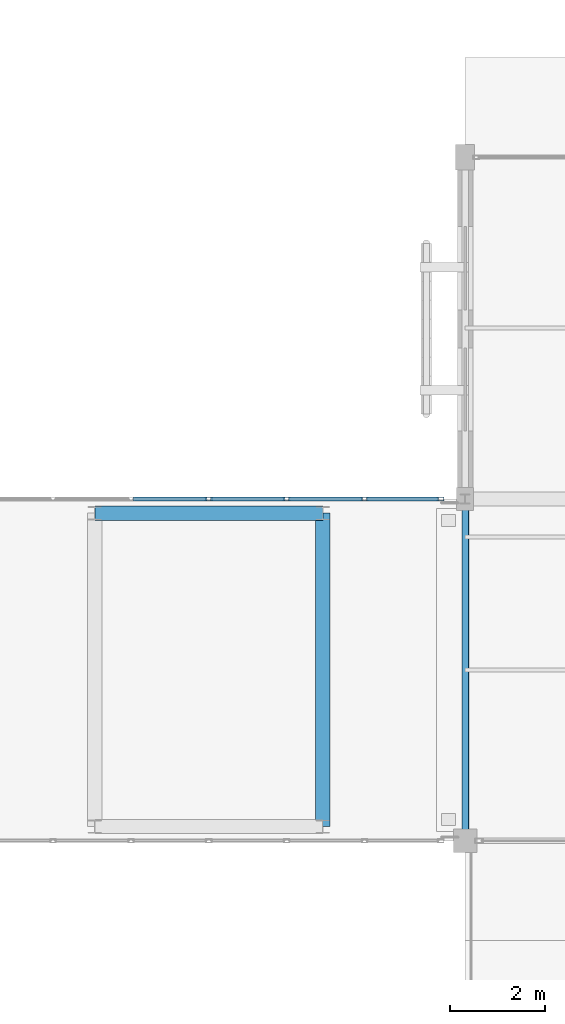
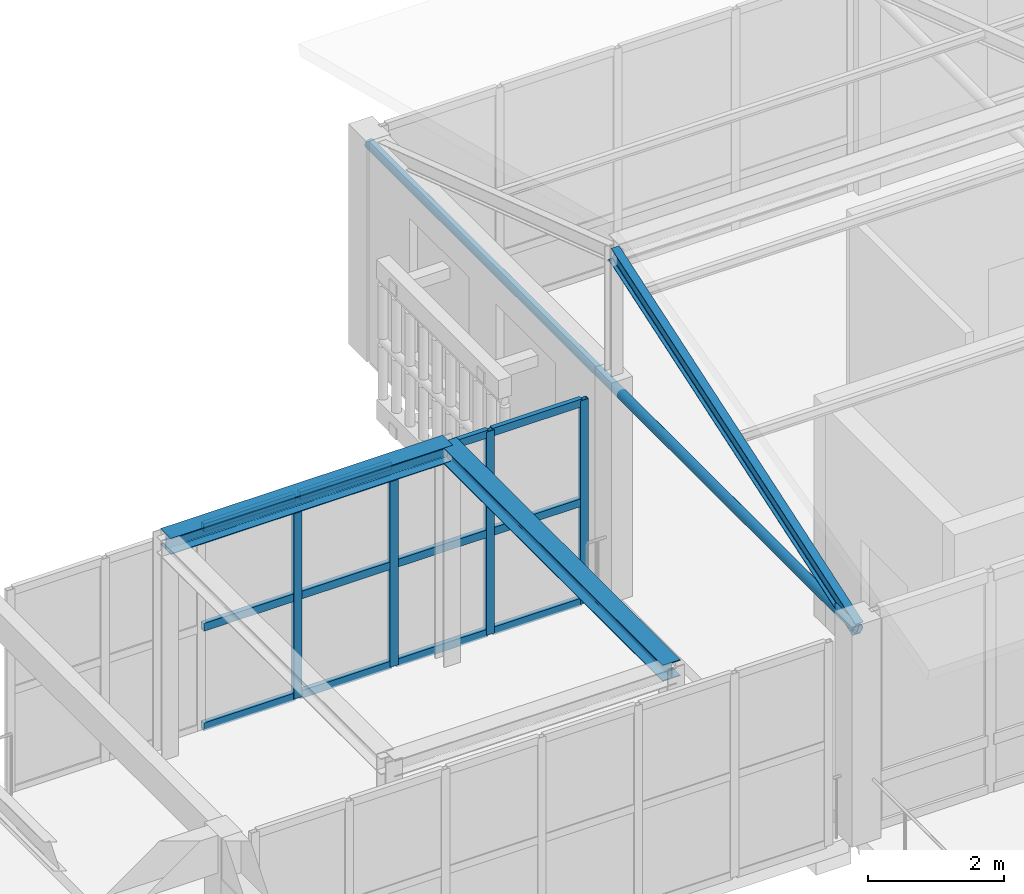
# One storey, part 22 of 112: 18 members, 2 beams, 1 element without a shape of its own.
"""IFC4 building model written with IfcOpenShell, lengths in metres."""

import ifcopenshell
import ifcopenshell.guid

model = None  # the IFC model being written
_history = None  # IfcOwnerHistory: only IFC2X3 demands one
_inside = {}  # id of a spatial element -> (the spatial element, [elements in it])
_under = {}  # id of a project, library or spatial element -> (it, [spatial elements below it])
_declared = {}  # id of a project -> (the project, [libraries it declares])
_typed = {}  # id of a type object -> (the type object, [elements of that type])
_made_of = {}  # id of a material, layer set ... -> (it, [elements and type objects made of it])


def new_model(schema):
    """Start an empty IFC model of exactly this schema.

    Asked for "IFC4X3", IfcOpenShell would pick the latest addendum, in which some entities
    have other attributes; the version numbers below select the first issue.
    IFC2X3 requires an IfcOwnerHistory on every rooted entity: one is made here for all.
    """
    global model, _history
    if schema == "IFC4X3":
        model = ifcopenshell.file(schema_version=(4, 3, 0, 0))
    else:
        model = ifcopenshell.file(schema=schema)
    _inside.clear()
    _under.clear()
    _declared.clear()
    _typed.clear()
    _made_of.clear()
    _history = None
    if model.schema == "IFC2X3":
        org = make("IfcOrganization", Name="unknown")
        user = make(
            "IfcPersonAndOrganization",
            ThePerson=make("IfcPerson", FamilyName="unknown"),
            TheOrganization=org,
        )
        app = make(
            "IfcApplication",
            ApplicationDeveloper=org,
            Version="unknown",
            ApplicationFullName="unknown",
            ApplicationIdentifier="unknown",
        )
        _history = make(
            "IfcOwnerHistory",
            OwningUser=user,
            OwningApplication=app,
            ChangeAction="ADDED",
            CreationDate=0,
        )
    return model


def make(cls, **values):
    """One entity of the class cls with the attributes given. An attribute that is None is left unset."""
    return model.create_entity(
        cls, **{name: value for name, value in values.items() if value is not None}
    )


def rooted(cls, **values):
    """An entity with a GlobalId (a new one), such as an element, a storey or a relation."""
    return make(cls, GlobalId=ifcopenshell.guid.new(), OwnerHistory=_history, **values)


def si_unit(unit_type, name, prefix=None):
    """IfcSIUnit, for example si_unit("LENGTHUNIT", "METRE", prefix="MILLI")."""
    return make("IfcSIUnit", UnitType=unit_type, Prefix=prefix, Name=name)


def assignment(units):
    """IfcUnitAssignment: the units of a project."""
    return None if units is None else make("IfcUnitAssignment", Units=units)


def point(xyz):
    """IfcCartesianPoint."""
    return None if xyz is None else make("IfcCartesianPoint", Coordinates=xyz)


def direction(xyz):
    """IfcDirection."""
    return None if xyz is None else make("IfcDirection", DirectionRatios=xyz)


def frame(location, z_axis=None, x_axis=None):
    """IfcAxis2Placement3D, a coordinate frame: its origin and axes. An axis left out is left unset."""
    return make(
        "IfcAxis2Placement3D",
        Location=point(location),
        Axis=direction(z_axis),
        RefDirection=direction(x_axis),
    )


def frame_2d(location, x_axis=None):
    """IfcAxis2Placement2D, a coordinate frame in the plane: its origin and x axis."""
    return make(
        "IfcAxis2Placement2D", Location=point(location), RefDirection=direction(x_axis)
    )


def origin():
    """The frame at (0, 0, 0) with its axes left unset."""
    return frame((0.0, 0.0, 0.0))


def origin_2d():
    """The frame at (0, 0) in the plane with its x axis left unset."""
    return frame_2d((0.0, 0.0))


def place(relative_to, where):
    """IfcLocalPlacement: puts the frame where relative to a parent placement (None: the world)."""
    return make(
        "IfcLocalPlacement", PlacementRelTo=relative_to, RelativePlacement=where
    )


def context(
    kind, dimensions, precision=None, world=None, true_north=None, identifier=None
):
    """IfcGeometricRepresentationContext, for example the 3D "Model" context."""
    return make(
        "IfcGeometricRepresentationContext",
        ContextIdentifier=identifier,
        ContextType=kind,
        CoordinateSpaceDimension=dimensions,
        Precision=precision,
        WorldCoordinateSystem=world,
        TrueNorth=true_north,
    )


def subcontext(parent, identifier, kind, view, scale=None):
    """IfcGeometricRepresentationSubContext, for example "Body" below "Model"."""
    return make(
        "IfcGeometricRepresentationSubContext",
        ContextIdentifier=identifier,
        ContextType=kind,
        ParentContext=parent,
        TargetScale=scale,
        TargetView=view,
    )


def project(units=None, contexts=None):
    """IfcProject with its units and contexts."""
    return rooted(
        "IfcProject",
        Name="project",
        RepresentationContexts=contexts,
        UnitsInContext=assignment(units),
    )


def spatial(cls, under=None, at=None, **own):
    """A site, building, storey or space (cls), placed at a placement, below another one or the project."""
    s = rooted(cls, ObjectPlacement=at, **own)
    if under is not None:
        _under.setdefault(under.id(), (under, []))[1].append(s)
    return s


def profile(cls, at=None, kind="AREA", **sizes):
    """A parametric profile (cls). Its sizes go by their IFC names, for example OverallWidth=200.0."""
    return make(cls, ProfileType=kind, Position=at, **sizes)


def hollow_rectangle(**sizes):
    """IfcRectangleHollowProfileDef."""
    return profile("IfcRectangleHollowProfileDef", **sizes)


def hollow_circle(**sizes):
    """IfcCircleHollowProfileDef."""
    return profile("IfcCircleHollowProfileDef", **sizes)


def i_section(**sizes):
    """IfcIShapeProfileDef."""
    return profile("IfcIShapeProfileDef", **sizes)


def extrude(swept, where, along, depth):
    """IfcExtrudedAreaSolid: the profile swept, set in the frame where, extruded along a direction by depth."""
    return make(
        "IfcExtrudedAreaSolid",
        SweptArea=swept,
        Position=where,
        ExtrudedDirection=direction(along),
        Depth=depth,
    )


def shape(context_of_items, identifier, shape_type, items):
    """IfcShapeRepresentation: the items that make up one representation, for example the "Body"."""
    return make(
        "IfcShapeRepresentation",
        ContextOfItems=context_of_items,
        RepresentationIdentifier=identifier,
        RepresentationType=shape_type,
        Items=items,
    )


def material(Name=None, Category=None):
    """IfcMaterial."""
    return make("IfcMaterial", Name=Name, Category=Category)


def layer(
    of_material, thickness, ventilated=None, Name=None, Category=None, Priority=None
):
    """IfcMaterialLayer: one layer of a wall or slab, of a material (None: an air gap)."""
    return make(
        "IfcMaterialLayer",
        Material=of_material,
        LayerThickness=thickness,
        IsVentilated=ventilated,
        Name=Name,
        Category=Category,
        Priority=Priority,
    )


def layer_set(layers, Name=None):
    """IfcMaterialLayerSet."""
    return make("IfcMaterialLayerSet", MaterialLayers=layers, LayerSetName=Name)


def material_profile(
    of_material, cross_section, Name=None, Category=None, Priority=None
):
    """IfcMaterialProfile: a cross section and its material."""
    return make(
        "IfcMaterialProfile",
        Name=Name,
        Material=of_material,
        Profile=cross_section,
        Priority=Priority,
        Category=Category,
    )


def profile_set(profiles, Name=None, composite=None):
    """IfcMaterialProfileSet."""
    return make(
        "IfcMaterialProfileSet",
        Name=Name,
        MaterialProfiles=profiles,
        CompositeProfile=composite,
    )


def made_of(thing, what):
    """Note that an element or type object is made of a material, layer set ...; save() writes the relation."""
    if what is not None:
        _made_of.setdefault(what.id(), (what, []))[1].append(thing)
    return thing


def type_object(cls, material=None, **own):
    """A type object (cls), such as IfcWallType, which elements share."""
    return made_of(rooted(cls, **own), material)


def element(
    cls,
    number,
    at=None,
    inside=None,
    cuts=None,
    type_object=None,
    material=None,
    context=None,
    identifier="Body",
    shape_type=None,
    held_by="IfcProductDefinitionShape",
    body=None,
    shapes=None,
    **own,
):
    """One element of the class cls, such as IfcWall. Its Tag is "e" and its number.

    at: its placement. inside: the storey or other place that contains it. cuts: it is an
    opening in that element (IfcRelVoidsElement). A single representation is given by context,
    identifier, shape_type and body (its items); several are given by shapes. held_by: the class
    of the entity that holds the representations. save() writes the other relations.
    """
    e = rooted(cls, Tag="e%d" % number, ObjectPlacement=at, **own)
    if body is not None:
        shapes = [shape(context, identifier, shape_type, body)]
    if shapes is not None:
        e.Representation = make(held_by, Representations=shapes)
    if inside is not None:
        _inside.setdefault(inside.id(), (inside, []))[1].append(e)
    if cuts is not None:
        rooted(
            "IfcRelVoidsElement", RelatingBuildingElement=cuts, RelatedOpeningElement=e
        )
    if type_object is not None:
        _typed.setdefault(type_object.id(), (type_object, []))[1].append(e)
    return made_of(e, material)


def aggregate(whole, parts):
    """IfcRelAggregates: a whole, such as a stair, and the parts it consists of."""
    return rooted("IfcRelAggregates", RelatingObject=whole, RelatedObjects=parts)


def save(model, path):
    """Write the relations noted so far, then the file.

    IfcRelAggregates (storeys below a building ...), IfcRelContainedInSpatialStructure (elements
    in a storey), IfcRelDefinesByType, IfcRelAssociatesMaterial and IfcRelDeclares: one each for
    every whole, place, type object, material and project.
    """
    for whole, parts in _under.values():
        aggregate(whole, parts)
    for where, things in _inside.values():
        rooted(
            "IfcRelContainedInSpatialStructure",
            RelatedElements=things,
            RelatingStructure=where,
        )
    for kind, things in _typed.values():
        rooted("IfcRelDefinesByType", RelatedObjects=things, RelatingType=kind)
    for what, things in _made_of.values():
        rooted("IfcRelAssociatesMaterial", RelatedObjects=things, RelatingMaterial=what)
    for by, libraries in _declared.values():
        rooted("IfcRelDeclares", RelatingContext=by, RelatedDefinitions=libraries)
    model.write(path)


model = new_model("IFC4")

# Units and contexts
model_context = context("Model", 3, precision=1e-05, world=origin(), true_north=direction((0.0, 1.0)))
body_context = subcontext(model_context, "Body", "Model", "MODEL_VIEW")
ifc_project = project(units=[si_unit("LENGTHUNIT", "METRE"), si_unit("AREAUNIT", "SQUARE_METRE"), si_unit("VOLUMEUNIT", "CUBIC_METRE"), si_unit("PLANEANGLEUNIT", "RADIAN"), si_unit("MASSUNIT", "GRAM", prefix="KILO")], contexts=[model_context])

# Site, building, storey
site_placement = place(None, origin())
site = spatial("IfcSite", under=ifc_project, at=site_placement, CompositionType="ELEMENT")
building_placement = place(site_placement, origin())
building = spatial("IfcBuilding", under=site, at=building_placement, Name="Mazaris Harbour Polytechnic", CompositionType="ELEMENT")
storey_placement = place(building_placement, frame((0.0, 0.0, 13.800048828125)))
storey = spatial("IfcBuildingStorey", under=building, at=storey_placement, Name="L03", CompositionType="ELEMENT", Elevation=13.800048828125)

# Curtain wall, members
ifc_material_1 = material(Name="Anodised Bronze Aluminium and Low-E Glass", Category="aluminium")
ifc_layer = layer(ifc_material_1, 0.139892578125, Name="Anodised Bronze Aluminium and Low-E Glass")
ifc_layer_set = layer_set([ifc_layer], Name="Anodised Bronze Aluminium and Low-E Glass")
curtain_wall_type = type_object("IfcCurtainWallType", Name="Seismic Link Bridge Glazing", PredefinedType="NOTDEFINED", material=ifc_layer_set)
curtain_wall_placement = place(storey_placement, origin())
curtain_wall = element("IfcCurtainWall", 1, at=curtain_wall_placement, inside=storey, type_object=curtain_wall_type, Name="PB-W1 L03 Bridge Glazing", PredefinedType="NOTDEFINED")
ifc_material_2 = material(Name="Anodised Bronze Steel S355", Category="steel")
ifc_material_profile_1 = material_profile(ifc_material_2, hollow_rectangle(XDim=0.080078125, YDim=0.139892578125, WallThickness=0.00634765625, at=origin_2d()), Name="RHS 80x140x6.3")
ifc_profile_set_1 = profile_set([ifc_material_profile_1], Name="Anodised Bronze Steel S355")
member_type_1 = type_object("IfcMemberType", Name="Curtain Mullion RHS80x140", PredefinedType="MULLION", material=ifc_profile_set_1)
member_1_placement = place(storey_placement, frame((53.47998046875, 28.800048828125, 0.0), z_axis=(0.0, 0.0, 1.0), x_axis=(0.0, -1.0, 0.0)))
member_1 = element("IfcMember", 2, at=member_1_placement, type_object=member_type_1, Name="CW-05 mullion 1", PredefinedType="MULLION", context=body_context, shape_type="SweptSolid", body=[
    extrude(hollow_rectangle(XDim=0.080078125, YDim=0.139892578125, WallThickness=0.00634765625, at=origin_2d()), origin(), (0.0, 0.0, 1.0), 3.659912109375),
])
member_2_placement = place(storey_placement, frame((51.8798828125, 28.800048828125, 0.0), z_axis=(0.0, 0.0, 1.0), x_axis=(0.0, -1.0, 0.0)))
member_2 = element("IfcMember", 3, at=member_2_placement, type_object=member_type_1, Name="CW-05 mullion 2", PredefinedType="MULLION", context=body_context, shape_type="SweptSolid", body=[
    extrude(hollow_rectangle(XDim=0.080078125, YDim=0.139892578125, WallThickness=0.00634765625, at=origin_2d()), origin(), (0.0, 0.0, 1.0), 3.659912109375),
])
member_3_placement = place(storey_placement, frame((50.239990234375, 28.800048828125, 0.0), z_axis=(0.0, 0.0, 1.0), x_axis=(0.0, -1.0, 0.0)))
member_3 = element("IfcMember", 4, at=member_3_placement, type_object=member_type_1, Name="CW-05 mullion 3", PredefinedType="MULLION", context=body_context, shape_type="SweptSolid", body=[
    extrude(hollow_rectangle(XDim=0.080078125, YDim=0.139892578125, WallThickness=0.00634765625, at=origin_2d()), origin(), (0.0, 0.0, 1.0), 3.659912109375),
])
member_4_placement = place(storey_placement, frame((48.60009765625, 28.800048828125, 0.0), z_axis=(0.0, 0.0, 1.0), x_axis=(0.0, -1.0, 0.0)))
member_4 = element("IfcMember", 5, at=member_4_placement, type_object=member_type_1, Name="CW-05 mullion 4", PredefinedType="MULLION", context=body_context, shape_type="SweptSolid", body=[
    extrude(hollow_rectangle(XDim=0.080078125, YDim=0.139892578125, WallThickness=0.00634765625, at=origin_2d()), origin(), (0.0, 0.0, 1.0), 3.659912109375),
])
ifc_material_3 = material(Name="Anodised Bronze Steel S355", Category="steel")
ifc_material_profile_2 = material_profile(ifc_material_3, hollow_rectangle(XDim=0.080078125, YDim=0.139892578125, WallThickness=0.00634765625, at=origin_2d()), Name="RHS 80x140x6.3")
ifc_profile_set_2 = profile_set([ifc_material_profile_2], Name="Anodised Bronze Steel S355")
member_type_2 = type_object("IfcMemberType", Name="Curtain Transom RHS80x140", PredefinedType="USERDEFINED", material=ifc_profile_set_2)
member_5_placement = place(storey_placement, frame((53.43994140625, 28.800048828125, 0.0400390625), z_axis=(-1.0, 0.0, 0.0), x_axis=(0.0, -1.0, 0.0)))
member_5 = element("IfcMember", 6, at=member_5_placement, type_object=member_type_2, Name="CW-05 transom 1.1", ObjectType="TRANSOM", PredefinedType="USERDEFINED", context=body_context, shape_type="SweptSolid", body=[
    extrude(hollow_rectangle(XDim=0.080078125, YDim=0.139892578125, WallThickness=0.00634765625, at=origin_2d()), origin(), (0.0, 0.0, 1.0), 1.52001953125),
])
member_6_placement = place(storey_placement, frame((53.43994140625, 28.800048828125, 1.829833984375), z_axis=(-1.0, 0.0, 0.0), x_axis=(0.0, -1.0, 0.0)))
member_6 = element("IfcMember", 7, at=member_6_placement, type_object=member_type_2, Name="CW-05 transom 1.2", ObjectType="TRANSOM", PredefinedType="USERDEFINED", context=body_context, shape_type="SweptSolid", body=[
    extrude(hollow_rectangle(XDim=0.080078125, YDim=0.139892578125, WallThickness=0.00634765625, at=origin_2d()), origin(), (0.0, 0.0, 1.0), 1.52001953125),
])
member_7_placement = place(storey_placement, frame((53.43994140625, 28.800048828125, 3.619873046875), z_axis=(-1.0, 0.0, 0.0), x_axis=(0.0, -1.0, 0.0)))
member_7 = element("IfcMember", 8, at=member_7_placement, type_object=member_type_2, Name="CW-05 transom 1.3", ObjectType="TRANSOM", PredefinedType="USERDEFINED", context=body_context, shape_type="SweptSolid", body=[
    extrude(hollow_rectangle(XDim=0.080078125, YDim=0.139892578125, WallThickness=0.00634765625, at=origin_2d()), origin(), (0.0, 0.0, 1.0), 1.52001953125),
])
member_8_placement = place(storey_placement, frame((51.840087890625, 28.800048828125, 0.0400390625), z_axis=(-1.0, 0.0, 0.0), x_axis=(0.0, -1.0, 0.0)))
member_8 = element("IfcMember", 9, at=member_8_placement, type_object=member_type_2, Name="CW-05 transom 2.1", ObjectType="TRANSOM", PredefinedType="USERDEFINED", context=body_context, shape_type="SweptSolid", body=[
    extrude(hollow_rectangle(XDim=0.080078125, YDim=0.139892578125, WallThickness=0.00634765625, at=origin_2d()), origin(), (0.0, 0.0, 1.0), 1.56005859375),
])
member_9_placement = place(storey_placement, frame((51.840087890625, 28.800048828125, 1.829833984375), z_axis=(-1.0, 0.0, 0.0), x_axis=(0.0, -1.0, 0.0)))
member_9 = element("IfcMember", 10, at=member_9_placement, type_object=member_type_2, Name="CW-05 transom 2.2", ObjectType="TRANSOM", PredefinedType="USERDEFINED", context=body_context, shape_type="SweptSolid", body=[
    extrude(hollow_rectangle(XDim=0.080078125, YDim=0.139892578125, WallThickness=0.00634765625, at=origin_2d()), origin(), (0.0, 0.0, 1.0), 1.56005859375),
])
member_10_placement = place(storey_placement, frame((51.840087890625, 28.800048828125, 3.619873046875), z_axis=(-1.0, 0.0, 0.0), x_axis=(0.0, -1.0, 0.0)))
member_10 = element("IfcMember", 11, at=member_10_placement, type_object=member_type_2, Name="CW-05 transom 2.3", ObjectType="TRANSOM", PredefinedType="USERDEFINED", context=body_context, shape_type="SweptSolid", body=[
    extrude(hollow_rectangle(XDim=0.080078125, YDim=0.139892578125, WallThickness=0.00634765625, at=origin_2d()), origin(), (0.0, 0.0, 1.0), 1.56005859375),
])
member_11_placement = place(storey_placement, frame((50.199951171875, 28.800048828125, 0.0400390625), z_axis=(-1.0, 0.0, 0.0), x_axis=(0.0, -1.0, 0.0)))
member_11 = element("IfcMember", 12, at=member_11_placement, type_object=member_type_2, Name="CW-05 transom 3.1", ObjectType="TRANSOM", PredefinedType="USERDEFINED", context=body_context, shape_type="SweptSolid", body=[
    extrude(hollow_rectangle(XDim=0.080078125, YDim=0.139892578125, WallThickness=0.00634765625, at=origin_2d()), origin(), (0.0, 0.0, 1.0), 1.56005859375),
])
member_12_placement = place(storey_placement, frame((50.199951171875, 28.800048828125, 1.829833984375), z_axis=(-1.0, 0.0, 0.0), x_axis=(0.0, -1.0, 0.0)))
member_12 = element("IfcMember", 13, at=member_12_placement, type_object=member_type_2, Name="CW-05 transom 3.2", ObjectType="TRANSOM", PredefinedType="USERDEFINED", context=body_context, shape_type="SweptSolid", body=[
    extrude(hollow_rectangle(XDim=0.080078125, YDim=0.139892578125, WallThickness=0.00634765625, at=origin_2d()), origin(), (0.0, 0.0, 1.0), 1.56005859375),
])
member_13_placement = place(storey_placement, frame((50.199951171875, 28.800048828125, 3.619873046875), z_axis=(-1.0, 0.0, 0.0), x_axis=(0.0, -1.0, 0.0)))
member_13 = element("IfcMember", 14, at=member_13_placement, type_object=member_type_2, Name="CW-05 transom 3.3", ObjectType="TRANSOM", PredefinedType="USERDEFINED", context=body_context, shape_type="SweptSolid", body=[
    extrude(hollow_rectangle(XDim=0.080078125, YDim=0.139892578125, WallThickness=0.00634765625, at=origin_2d()), origin(), (0.0, 0.0, 1.0), 1.56005859375),
])
member_14_placement = place(storey_placement, frame((48.56005859375, 28.800048828125, 0.0400390625), z_axis=(-1.0, 0.0, 0.0), x_axis=(0.0, -1.0, 0.0)))
member_14 = element("IfcMember", 15, at=member_14_placement, type_object=member_type_2, Name="CW-05 transom 4.1", ObjectType="TRANSOM", PredefinedType="USERDEFINED", context=body_context, shape_type="SweptSolid", body=[
    extrude(hollow_rectangle(XDim=0.080078125, YDim=0.139892578125, WallThickness=0.00634765625, at=origin_2d()), origin(), (0.0, 0.0, 1.0), 1.56005859375),
])
member_15_placement = place(storey_placement, frame((48.56005859375, 28.800048828125, 1.829833984375), z_axis=(-1.0, 0.0, 0.0), x_axis=(0.0, -1.0, 0.0)))
member_15 = element("IfcMember", 16, at=member_15_placement, type_object=member_type_2, Name="CW-05 transom 4.2", ObjectType="TRANSOM", PredefinedType="USERDEFINED", context=body_context, shape_type="SweptSolid", body=[
    extrude(hollow_rectangle(XDim=0.080078125, YDim=0.139892578125, WallThickness=0.00634765625, at=origin_2d()), origin(), (0.0, 0.0, 1.0), 1.56005859375),
])
member_16_placement = place(storey_placement, frame((48.56005859375, 28.800048828125, 3.619873046875), z_axis=(-1.0, 0.0, 0.0), x_axis=(0.0, -1.0, 0.0)))
member_16 = element("IfcMember", 17, at=member_16_placement, type_object=member_type_2, Name="CW-05 transom 4.3", ObjectType="TRANSOM", PredefinedType="USERDEFINED", context=body_context, shape_type="SweptSolid", body=[
    extrude(hollow_rectangle(XDim=0.080078125, YDim=0.139892578125, WallThickness=0.00634765625, at=origin_2d()), origin(), (0.0, 0.0, 1.0), 1.56005859375),
])
aggregate(curtain_wall, [member_1, member_2, member_3, member_4, member_5, member_6, member_7, member_8, member_9, member_10, member_11, member_12, member_13, member_14, member_15, member_16])

# Beams
ifc_material_4 = material(Name="Steel S355", Category="steel")
ifc_material_profile_3 = material_profile(ifc_material_4, i_section(OverallWidth=0.300048828125, OverallDepth=0.2900390625, WebThickness=0.008544921875, FlangeThickness=0.013916015625, FilletRadius=0.027099609375, at=origin_2d()), Name="HEA 300")
ifc_profile_set_3 = profile_set([ifc_material_profile_3], Name="Steel S355")
beam_type = type_object("IfcBeamType", Name="Steel Beam HEA300 Exterior", PredefinedType="SPANDREL", material=ifc_profile_set_3)
beam_1_placement = place(storey_placement, frame((51.0, 21.89990234375, 3.81494140625), z_axis=(0.0, 1.0, 0.0), x_axis=(-1.0, 0.0, 0.0)))
element("IfcBeam", 18, at=beam_1_placement, inside=storey, type_object=beam_type, Name="PB-W1 L03 Bridge Beam 3417", PredefinedType="SPANDREL", context=body_context, shape_type="SweptSolid", body=[
    extrude(i_section(OverallWidth=0.300048828125, OverallDepth=0.2900390625, WebThickness=0.008544921875, FlangeThickness=0.013916015625, FilletRadius=0.027099609375, at=origin_2d()), origin(), (0.0, 0.0, 1.0), 6.60009765625),
])
beam_2_placement = place(storey_placement, frame((46.199951171875, 28.5, 3.81494140625), z_axis=(1.0, 0.0, 0.0), x_axis=(0.0, 1.0, 0.0)))
element("IfcBeam", 19, at=beam_2_placement, inside=storey, type_object=beam_type, Name="PB-W1 L03 Bridge Beam 3418", PredefinedType="SPANDREL", context=body_context, shape_type="SweptSolid", body=[
    extrude(i_section(OverallWidth=0.300048828125, OverallDepth=0.2900390625, WebThickness=0.008544921875, FlangeThickness=0.013916015625, FilletRadius=0.027099609375, at=origin_2d()), origin(), (0.0, 0.0, 1.0), 4.800048828125),
])

# Members
ifc_material_5 = material(Name="Steel S355", Category="steel")
ifc_material_profile_4 = material_profile(ifc_material_5, i_section(OverallWidth=0.135009765625, OverallDepth=0.27001953125, WebThickness=0.006591796875, FlangeThickness=0.01025390625, FilletRadius=0.014892578125, at=origin_2d()), Name="IPE 270")
ifc_profile_set_4 = profile_set([ifc_material_profile_4], Name="Steel S355")
member_type_3 = type_object("IfcMemberType", Name="Steel Rafter IPE270", PredefinedType="RAFTER", material=ifc_profile_set_4)
member_17_placement = place(storey_placement, frame((54.0, 21.60009765625, 3.699951171875), z_axis=(0.0, 0.948686514869, 0.316218115397), x_axis=(-1.0, 0.0, 0.0)))
element("IfcMember", 20, at=member_17_placement, inside=storey, type_object=member_type_3, Name="V3 Pavilion South Rafter 8", PredefinedType="RAFTER", context=body_context, shape_type="SweptSolid", body=[
    extrude(i_section(OverallWidth=0.135009765625, OverallDepth=0.27001953125, WebThickness=0.006591796875, FlangeThickness=0.01025390625, FilletRadius=0.014892578125, at=origin_2d()), origin(), (0.0, 0.0, 1.0), 7.58935546875),
])
ifc_material_6 = material(Name="Steel S355", Category="steel")
ifc_material_profile_5 = material_profile(ifc_material_6, hollow_circle(Radius=0.084228515625, WallThickness=0.008056640625, at=origin_2d()), Name="CHS 168.3x8.0")
ifc_profile_set_5 = profile_set([ifc_material_profile_5], Name="Steel S355")
member_type_4 = type_object("IfcMemberType", Name="Steel Truss Strut CHS168", PredefinedType="STRUT", material=ifc_profile_set_5)
member_18_placement = place(storey_placement, frame((54.0, 21.60009765625, 3.699951171875), z_axis=(0.0, 1.0, 0.0), x_axis=(-1.0, 0.0, 0.0)))
element("IfcMember", 21, at=member_18_placement, inside=storey, type_object=member_type_4, Name="V3 Pavilion Tie 8", PredefinedType="STRUT", context=body_context, shape_type="SweptSolid", body=[
    extrude(hollow_circle(Radius=0.084228515625, WallThickness=0.008056640625, at=origin_2d()), origin(), (0.0, 0.0, 1.0), 14.39990234375),
])

save(model, "model.ifc")
